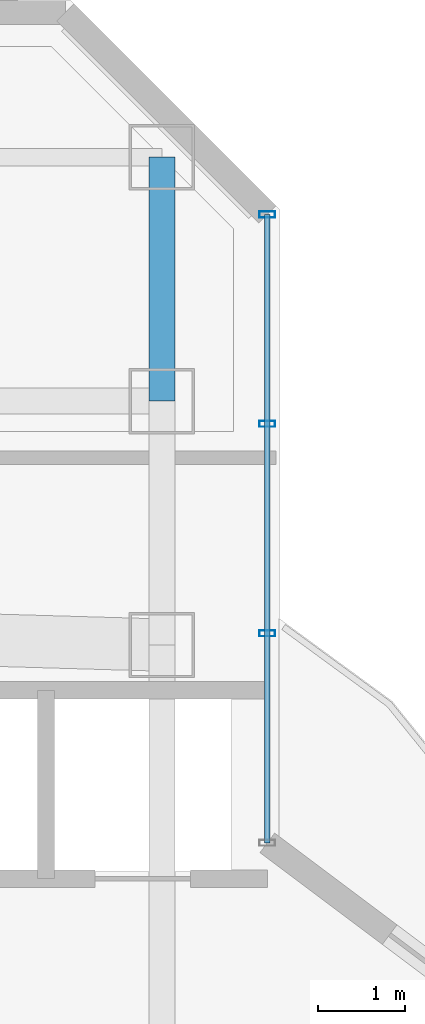
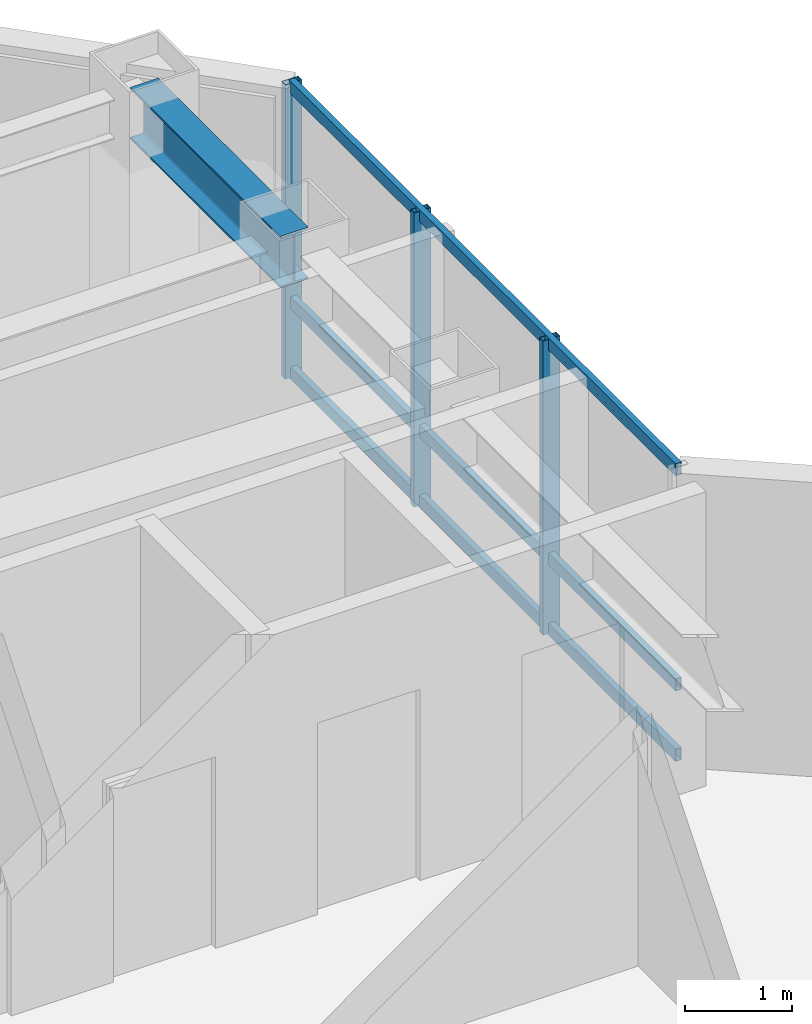
# One storey, part 17 of 24: 6 members, 1 beam, 1 element without a shape of its own.
"""IFC4 building model written with IfcOpenShell, lengths in metres."""

from ifc_helpers import new_model, si_unit, direction, frame, origin, origin_2d, place, context, subcontext, project, spatial, hollow_rectangle, i_section, extrude, material, layer, layer_set, material_profile, profile_set, type_object, element, aggregate, save


model = new_model("IFC4")

# Units and contexts
model_context = context("Model", 3, precision=1e-05, world=origin(), true_north=direction((0.0, 1.0)))
body_context = subcontext(model_context, "Body", "Model", "MODEL_VIEW")
ifc_project = project(units=[si_unit("LENGTHUNIT", "METRE"), si_unit("AREAUNIT", "SQUARE_METRE"), si_unit("VOLUMEUNIT", "CUBIC_METRE"), si_unit("PLANEANGLEUNIT", "RADIAN"), si_unit("MASSUNIT", "GRAM", prefix="KILO")], contexts=[model_context])

# Site, building, storey
site_placement = place(None, origin())
site = spatial("IfcSite", under=ifc_project, at=site_placement, CompositionType="ELEMENT")
building_placement = place(site_placement, origin())
building = spatial("IfcBuilding", under=site, at=building_placement, Name="Hatsunagi Terrace Concourse", CompositionType="ELEMENT")
storey_placement = place(building_placement, frame((0.0, 0.0, 213.14990234375)))
storey = spatial("IfcBuildingStorey", under=building, at=storey_placement, Name="L56", CompositionType="ELEMENT", Elevation=213.14990234375)

# Curtain wall, members
ifc_material_1 = material(Name="Anodised Aluminium Alloy 6063-T5", Category="aluminium")
ifc_layer = layer(ifc_material_1, 0.199951171875)
ifc_layer_set = layer_set([ifc_layer], Name="OfficeZone2_CW04")
curtain_wall_type = type_object("IfcCurtainWallType", Name="OfficeZone2_CW04", PredefinedType="NOTDEFINED", material=ifc_layer_set)
curtain_wall_placement = place(storey_placement, origin())
curtain_wall = element("IfcCurtainWall", 1, at=curtain_wall_placement, inside=storey, type_object=curtain_wall_type, Name="Unitised Curtain Wall CW-04 CW-L56-12", PredefinedType="NOTDEFINED")
ifc_material_2 = material(Name="Anodised Aluminium Alloy 6063-T5", Category="aluminium")
ifc_material_profile_1 = material_profile(ifc_material_2, hollow_rectangle(XDim=0.070068359375, YDim=0.179931640625, WallThickness=0.00390625, at=origin_2d()), Name="ALU-MUL-180x70x4")
ifc_profile_set_1 = profile_set([ifc_material_profile_1], Name="Anodised Aluminium Alloy 6063-T5")
member_type_1 = type_object("IfcMemberType", Name="CurtainWallMullion_180x70", PredefinedType="MULLION", material=ifc_profile_set_1)
member_1_placement = place(storey_placement, frame((44.860107421875, 47.94189453125, 0.0), z_axis=(0.0, 0.0, 1.0), x_axis=(0.0, -1.0, 0.0)))
member_1 = element("IfcMember", 2, at=member_1_placement, type_object=member_type_1, Name="Curtain Wall Mullion MUL-02", PredefinedType="MULLION", context=body_context, shape_type="SweptSolid", body=[
    extrude(hollow_rectangle(XDim=0.070068359375, YDim=0.179931640625, WallThickness=0.00390625, at=origin_2d()), origin(), (0.0, 0.0, 1.0), 3.35009765625),
])
member_2_placement = place(storey_placement, frame((44.860107421875, 45.5380859375, 0.0), z_axis=(0.0, 0.0, 1.0), x_axis=(0.0, -1.0, 0.0)))
member_2 = element("IfcMember", 3, at=member_2_placement, type_object=member_type_1, Name="Curtain Wall Mullion MUL-02", PredefinedType="MULLION", context=body_context, shape_type="SweptSolid", body=[
    extrude(hollow_rectangle(XDim=0.070068359375, YDim=0.179931640625, WallThickness=0.00390625, at=origin_2d()), origin(), (0.0, 0.0, 1.0), 3.35009765625),
])
member_3_placement = place(storey_placement, frame((44.860107421875, 43.134033203125, 0.0), z_axis=(0.0, 0.0, 1.0), x_axis=(0.0, -1.0, 0.0)))
member_3 = element("IfcMember", 4, at=member_3_placement, type_object=member_type_1, Name="Curtain Wall Mullion MUL-02", PredefinedType="MULLION", context=body_context, shape_type="SweptSolid", body=[
    extrude(hollow_rectangle(XDim=0.070068359375, YDim=0.179931640625, WallThickness=0.00390625, at=origin_2d()), origin(), (0.0, 0.0, 1.0), 3.35009765625),
])
ifc_material_3 = material(Name="Anodised Aluminium Alloy 6063-T5", Category="aluminium")
ifc_material_profile_2 = material_profile(ifc_material_3, hollow_rectangle(XDim=0.06494140625, YDim=0.139892578125, WallThickness=0.00390625, at=origin_2d()), Name="ALU-TRN-140x65x4")
ifc_profile_set_2 = profile_set([ifc_material_profile_2], Name="Anodised Aluminium Alloy 6063-T5")
member_type_2 = type_object("IfcMemberType", Name="CurtainWallTransom_140x65", PredefinedType="USERDEFINED", material=ifc_profile_set_2)
member_4_placement = place(storey_placement, frame((44.860107421875, 47.94189453125, 0.050048828125), z_axis=(0.0, -1.0, 0.0), x_axis=(1.0, 0.0, 0.0)))
member_4 = element("IfcMember", 5, at=member_4_placement, type_object=member_type_2, Name="Curtain Wall Transom TRN-02", ObjectType="TRANSOM", PredefinedType="USERDEFINED", context=body_context, shape_type="SweptSolid", body=[
    extrude(hollow_rectangle(XDim=0.06494140625, YDim=0.139892578125, WallThickness=0.00390625, at=origin_2d()), origin(), (0.0, 0.0, 1.0), 7.2119140625),
])
member_5_placement = place(storey_placement, frame((44.860107421875, 47.94189453125, 0.85009765625), z_axis=(0.0, -1.0, 0.0), x_axis=(1.0, 0.0, 0.0)))
member_5 = element("IfcMember", 6, at=member_5_placement, type_object=member_type_2, Name="Curtain Wall Transom TRN-02", ObjectType="TRANSOM", PredefinedType="USERDEFINED", context=body_context, shape_type="SweptSolid", body=[
    extrude(hollow_rectangle(XDim=0.06494140625, YDim=0.139892578125, WallThickness=0.00390625, at=origin_2d()), origin(), (0.0, 0.0, 1.0), 7.2119140625),
])
member_6_placement = place(storey_placement, frame((44.860107421875, 47.94189453125, 3.300048828125), z_axis=(0.0, -1.0, 0.0), x_axis=(1.0, 0.0, 0.0)))
member_6 = element("IfcMember", 7, at=member_6_placement, type_object=member_type_2, Name="Curtain Wall Transom TRN-02", ObjectType="TRANSOM", PredefinedType="USERDEFINED", context=body_context, shape_type="SweptSolid", body=[
    extrude(hollow_rectangle(XDim=0.06494140625, YDim=0.139892578125, WallThickness=0.00390625, at=origin_2d()), origin(), (0.0, 0.0, 1.0), 7.2119140625),
])
aggregate(curtain_wall, [member_1, member_2, member_3, member_4, member_5, member_6])

# Beam
ifc_material_4 = material(Name="Steel SN490B", Category="steel")
ifc_material_profile_3 = material_profile(ifc_material_4, i_section(OverallWidth=0.300048828125, OverallDepth=0.587890625, WebThickness=0.011962890625, FlangeThickness=0.02001953125, FilletRadius=0.01806640625, at=origin_2d()), Name="H-588x300x12x20")
ifc_profile_set_3 = profile_set([ifc_material_profile_3], Name="Steel SN490B")
beam_type = type_object("IfcBeamType", Name="OfficeHighGirder_H_588x300", PredefinedType="BEAM", material=ifc_profile_set_3)
beam_placement = place(storey_placement, frame((43.64990234375, 45.800048828125, 3.05615234375), z_axis=(0.0, 1.0, 0.0), x_axis=(-1.0, 0.0, 0.0)))
element("IfcBeam", 8, at=beam_placement, inside=storey, type_object=beam_type, Name="Beam G-06 BM-L56-KN-WN6", PredefinedType="BEAM", context=body_context, shape_type="SweptSolid", body=[
    extrude(i_section(OverallWidth=0.300048828125, OverallDepth=0.587890625, WebThickness=0.011962890625, FlangeThickness=0.02001953125, FilletRadius=0.01806640625, at=origin_2d()), origin(), (0.0, 0.0, 1.0), 2.800048828125),
])

save(model, "model.ifc")
